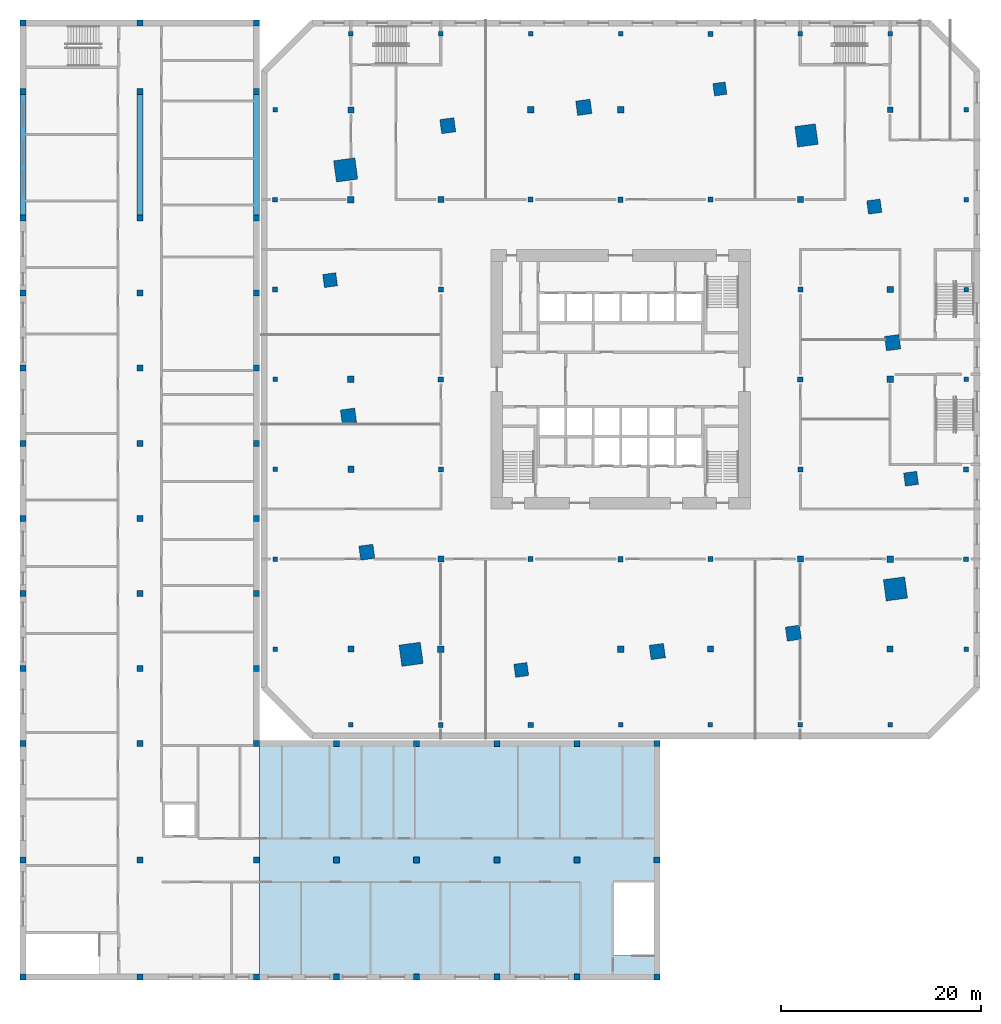
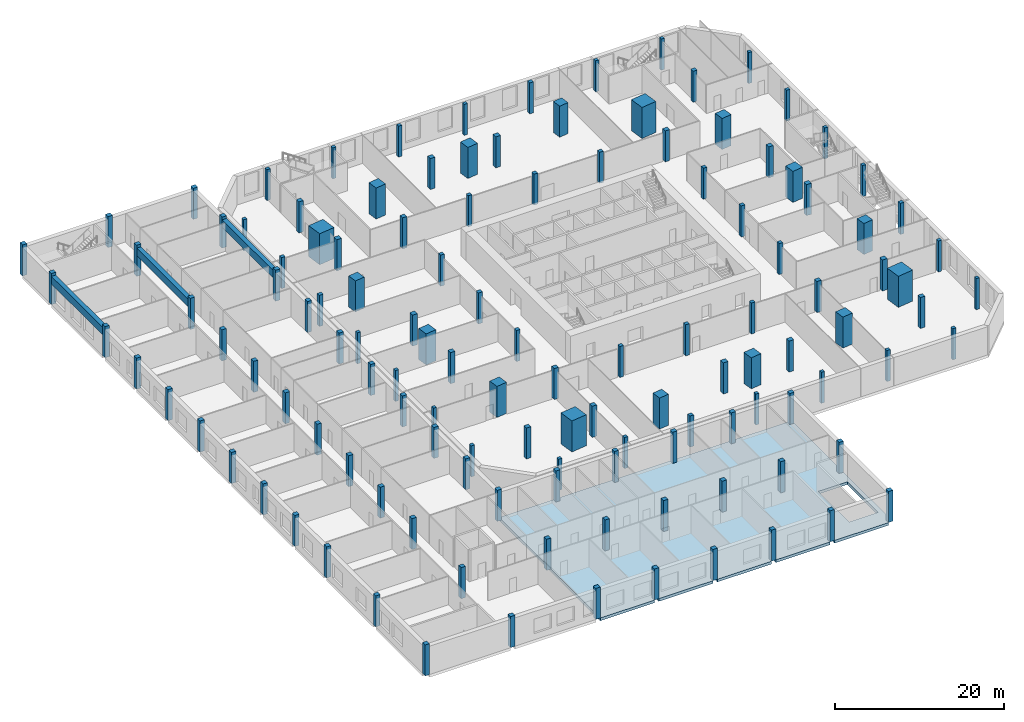
# One storey, part 1 of 18: 126 columns, 3 beams, 1 slab.
"""IFC4 building model written with IfcOpenShell, lengths in metres."""

import ifcopenshell
import ifcopenshell.guid

model = None  # the IFC model being written
_history = None  # IfcOwnerHistory: only IFC2X3 demands one
_inside = {}  # id of a spatial element -> (the spatial element, [elements in it])
_under = {}  # id of a project, library or spatial element -> (it, [spatial elements below it])
_declared = {}  # id of a project -> (the project, [libraries it declares])
_typed = {}  # id of a type object -> (the type object, [elements of that type])
_made_of = {}  # id of a material, layer set ... -> (it, [elements and type objects made of it])


def new_model(schema):
    """Start an empty IFC model of exactly this schema.

    Asked for "IFC4X3", IfcOpenShell would pick the latest addendum, in which some entities
    have other attributes; the version numbers below select the first issue.
    IFC2X3 requires an IfcOwnerHistory on every rooted entity: one is made here for all.
    """
    global model, _history
    if schema == "IFC4X3":
        model = ifcopenshell.file(schema_version=(4, 3, 0, 0))
    else:
        model = ifcopenshell.file(schema=schema)
    _inside.clear()
    _under.clear()
    _declared.clear()
    _typed.clear()
    _made_of.clear()
    _history = None
    if model.schema == "IFC2X3":
        org = make("IfcOrganization", Name="unknown")
        user = make(
            "IfcPersonAndOrganization",
            ThePerson=make("IfcPerson", FamilyName="unknown"),
            TheOrganization=org,
        )
        app = make(
            "IfcApplication",
            ApplicationDeveloper=org,
            Version="unknown",
            ApplicationFullName="unknown",
            ApplicationIdentifier="unknown",
        )
        _history = make(
            "IfcOwnerHistory",
            OwningUser=user,
            OwningApplication=app,
            ChangeAction="ADDED",
            CreationDate=0,
        )
    return model


def make(cls, **values):
    """One entity of the class cls with the attributes given. An attribute that is None is left unset."""
    return model.create_entity(
        cls, **{name: value for name, value in values.items() if value is not None}
    )


def rooted(cls, **values):
    """An entity with a GlobalId (a new one), such as an element, a storey or a relation."""
    return make(cls, GlobalId=ifcopenshell.guid.new(), OwnerHistory=_history, **values)


def si_unit(unit_type, name, prefix=None):
    """IfcSIUnit, for example si_unit("LENGTHUNIT", "METRE", prefix="MILLI")."""
    return make("IfcSIUnit", UnitType=unit_type, Prefix=prefix, Name=name)


def assignment(units):
    """IfcUnitAssignment: the units of a project."""
    return None if units is None else make("IfcUnitAssignment", Units=units)


def point(xyz):
    """IfcCartesianPoint."""
    return None if xyz is None else make("IfcCartesianPoint", Coordinates=xyz)


def direction(xyz):
    """IfcDirection."""
    return None if xyz is None else make("IfcDirection", DirectionRatios=xyz)


def frame(location, z_axis=None, x_axis=None):
    """IfcAxis2Placement3D, a coordinate frame: its origin and axes. An axis left out is left unset."""
    return make(
        "IfcAxis2Placement3D",
        Location=point(location),
        Axis=direction(z_axis),
        RefDirection=direction(x_axis),
    )


def frame_2d(location, x_axis=None):
    """IfcAxis2Placement2D, a coordinate frame in the plane: its origin and x axis."""
    return make(
        "IfcAxis2Placement2D", Location=point(location), RefDirection=direction(x_axis)
    )


def origin():
    """The frame at (0, 0, 0) with its axes left unset."""
    return frame((0.0, 0.0, 0.0))


def origin_2d():
    """The frame at (0, 0) in the plane with its x axis left unset."""
    return frame_2d((0.0, 0.0))


def place(relative_to, where):
    """IfcLocalPlacement: puts the frame where relative to a parent placement (None: the world)."""
    return make(
        "IfcLocalPlacement", PlacementRelTo=relative_to, RelativePlacement=where
    )


def context(
    kind, dimensions, precision=None, world=None, true_north=None, identifier=None
):
    """IfcGeometricRepresentationContext, for example the 3D "Model" context."""
    return make(
        "IfcGeometricRepresentationContext",
        ContextIdentifier=identifier,
        ContextType=kind,
        CoordinateSpaceDimension=dimensions,
        Precision=precision,
        WorldCoordinateSystem=world,
        TrueNorth=true_north,
    )


def subcontext(parent, identifier, kind, view, scale=None):
    """IfcGeometricRepresentationSubContext, for example "Body" below "Model"."""
    return make(
        "IfcGeometricRepresentationSubContext",
        ContextIdentifier=identifier,
        ContextType=kind,
        ParentContext=parent,
        TargetScale=scale,
        TargetView=view,
    )


def project(units=None, contexts=None):
    """IfcProject with its units and contexts."""
    return rooted(
        "IfcProject",
        Name="project",
        RepresentationContexts=contexts,
        UnitsInContext=assignment(units),
    )


def spatial(cls, under=None, at=None, **own):
    """A site, building, storey or space (cls), placed at a placement, below another one or the project."""
    s = rooted(cls, ObjectPlacement=at, **own)
    if under is not None:
        _under.setdefault(under.id(), (under, []))[1].append(s)
    return s


def polyline(points):
    """IfcPolyline through the points."""
    return make("IfcPolyline", Points=[point(p) for p in points])


def profile(cls, at=None, kind="AREA", **sizes):
    """A parametric profile (cls). Its sizes go by their IFC names, for example OverallWidth=200.0."""
    return make(cls, ProfileType=kind, Position=at, **sizes)


def rectangle(**sizes):
    """IfcRectangleProfileDef."""
    return profile("IfcRectangleProfileDef", **sizes)


def outline(outer, holes=None, kind="AREA"):
    """IfcArbitraryClosedProfileDef: a profile drawn as a closed curve; with holes, ...WithVoids."""
    if holes is None:
        return make("IfcArbitraryClosedProfileDef", ProfileType=kind, OuterCurve=outer)
    return make(
        "IfcArbitraryProfileDefWithVoids",
        ProfileType=kind,
        OuterCurve=outer,
        InnerCurves=holes,
    )


def extrude(swept, where, along, depth):
    """IfcExtrudedAreaSolid: the profile swept, set in the frame where, extruded along a direction by depth."""
    return make(
        "IfcExtrudedAreaSolid",
        SweptArea=swept,
        Position=where,
        ExtrudedDirection=direction(along),
        Depth=depth,
    )


def shape(context_of_items, identifier, shape_type, items):
    """IfcShapeRepresentation: the items that make up one representation, for example the "Body"."""
    return make(
        "IfcShapeRepresentation",
        ContextOfItems=context_of_items,
        RepresentationIdentifier=identifier,
        RepresentationType=shape_type,
        Items=items,
    )


def material(Name=None, Category=None):
    """IfcMaterial."""
    return make("IfcMaterial", Name=Name, Category=Category)


def layer(
    of_material, thickness, ventilated=None, Name=None, Category=None, Priority=None
):
    """IfcMaterialLayer: one layer of a wall or slab, of a material (None: an air gap)."""
    return make(
        "IfcMaterialLayer",
        Material=of_material,
        LayerThickness=thickness,
        IsVentilated=ventilated,
        Name=Name,
        Category=Category,
        Priority=Priority,
    )


def layer_set(layers, Name=None):
    """IfcMaterialLayerSet."""
    return make("IfcMaterialLayerSet", MaterialLayers=layers, LayerSetName=Name)


def material_profile(
    of_material, cross_section, Name=None, Category=None, Priority=None
):
    """IfcMaterialProfile: a cross section and its material."""
    return make(
        "IfcMaterialProfile",
        Name=Name,
        Material=of_material,
        Profile=cross_section,
        Priority=Priority,
        Category=Category,
    )


def profile_set(profiles, Name=None, composite=None):
    """IfcMaterialProfileSet."""
    return make(
        "IfcMaterialProfileSet",
        Name=Name,
        MaterialProfiles=profiles,
        CompositeProfile=composite,
    )


def made_of(thing, what):
    """Note that an element or type object is made of a material, layer set ...; save() writes the relation."""
    if what is not None:
        _made_of.setdefault(what.id(), (what, []))[1].append(thing)
    return thing


def type_object(cls, material=None, **own):
    """A type object (cls), such as IfcWallType, which elements share."""
    return made_of(rooted(cls, **own), material)


def element(
    cls,
    number,
    at=None,
    inside=None,
    cuts=None,
    type_object=None,
    material=None,
    context=None,
    identifier="Body",
    shape_type=None,
    held_by="IfcProductDefinitionShape",
    body=None,
    shapes=None,
    **own,
):
    """One element of the class cls, such as IfcWall. Its Tag is "e" and its number.

    at: its placement. inside: the storey or other place that contains it. cuts: it is an
    opening in that element (IfcRelVoidsElement). A single representation is given by context,
    identifier, shape_type and body (its items); several are given by shapes. held_by: the class
    of the entity that holds the representations. save() writes the other relations.
    """
    e = rooted(cls, Tag="e%d" % number, ObjectPlacement=at, **own)
    if body is not None:
        shapes = [shape(context, identifier, shape_type, body)]
    if shapes is not None:
        e.Representation = make(held_by, Representations=shapes)
    if inside is not None:
        _inside.setdefault(inside.id(), (inside, []))[1].append(e)
    if cuts is not None:
        rooted(
            "IfcRelVoidsElement", RelatingBuildingElement=cuts, RelatedOpeningElement=e
        )
    if type_object is not None:
        _typed.setdefault(type_object.id(), (type_object, []))[1].append(e)
    return made_of(e, material)


def aggregate(whole, parts):
    """IfcRelAggregates: a whole, such as a stair, and the parts it consists of."""
    return rooted("IfcRelAggregates", RelatingObject=whole, RelatedObjects=parts)


def save(model, path):
    """Write the relations noted so far, then the file.

    IfcRelAggregates (storeys below a building ...), IfcRelContainedInSpatialStructure (elements
    in a storey), IfcRelDefinesByType, IfcRelAssociatesMaterial and IfcRelDeclares: one each for
    every whole, place, type object, material and project.
    """
    for whole, parts in _under.values():
        aggregate(whole, parts)
    for where, things in _inside.values():
        rooted(
            "IfcRelContainedInSpatialStructure",
            RelatedElements=things,
            RelatingStructure=where,
        )
    for kind, things in _typed.values():
        rooted("IfcRelDefinesByType", RelatedObjects=things, RelatingType=kind)
    for what, things in _made_of.values():
        rooted("IfcRelAssociatesMaterial", RelatedObjects=things, RelatingMaterial=what)
    for by, libraries in _declared.values():
        rooted("IfcRelDeclares", RelatingContext=by, RelatedDefinitions=libraries)
    model.write(path)


model = new_model("IFC4")

# Units and contexts
model_context = context("Model", 3, precision=1e-05, world=origin(), true_north=direction((0.0, 1.0)))
body_context = subcontext(model_context, "Body", "Model", "MODEL_VIEW")
ifc_project = project(units=[si_unit("LENGTHUNIT", "METRE"), si_unit("AREAUNIT", "SQUARE_METRE"), si_unit("VOLUMEUNIT", "CUBIC_METRE"), si_unit("PLANEANGLEUNIT", "RADIAN"), si_unit("MASSUNIT", "GRAM", prefix="KILO")], contexts=[model_context])

# Site, building, storey
site_placement = place(None, origin())
site = spatial("IfcSite", under=ifc_project, at=site_placement, CompositionType="ELEMENT")
building_placement = place(site_placement, origin())
building = spatial("IfcBuilding", under=site, at=building_placement, Name="Dilmun Exchange Tower", CompositionType="ELEMENT")
storey_placement = place(building_placement, frame((0.0, 0.0, 13.5)))
storey = spatial("IfcBuildingStorey", under=building, at=storey_placement, Name="L03", CompositionType="ELEMENT", Elevation=13.5)

# Columns
ifc_material_1 = material(Name="Concrete C80/95", Category="concrete")
ifc_material_profile_1 = material_profile(ifc_material_1, rectangle(XDim=2.074951171875, YDim=2.074951171875, at=origin_2d()), Name="2075 x 2075")
ifc_profile_set_1 = profile_set([ifc_material_profile_1], Name="Concrete C80/95")
column_type_1 = type_object("IfcColumnType", Name="RC mega column 2075 x 2075 C80/95", PredefinedType="COLUMN", material=ifc_profile_set_1)
column_1_placement = place(storey_placement, frame((18.6220703125, 24.43701171875, 0.0), z_axis=(0.0, 0.0, 1.0), x_axis=(0.991001197216, 0.133853005627, 0.0)))
element("IfcColumn", 1, at=column_1_placement, inside=storey, type_object=column_type_1, Name="Mega column M1", PredefinedType="COLUMN", context=body_context, shape_type="SweptSolid", body=[
    extrude(rectangle(XDim=2.074951171875, YDim=2.074951171875, at=origin_2d()), origin(), (0.0, 0.0, 1.0), 4.5),
])
ifc_material_profile_2 = material_profile(ifc_material_1, rectangle(XDim=2.14990234375, YDim=2.14990234375, at=origin_2d()), Name="2150 x 2150")
ifc_profile_set_2 = profile_set([ifc_material_profile_2], Name="Concrete C80/95")
column_type_2 = type_object("IfcColumnType", Name="RC mega column 2150 x 2150 C80/95", PredefinedType="COLUMN", material=ifc_profile_set_2)
for number, where, z_axis, x_axis, name in (
    (2, (-27.531005859375, 20.97900390625, 0.0), (0.0, 0.0, 1.0), (0.991001197216, 0.133853005627, 0.0), "Mega column M2"),
    (3, (-20.97900390625, -27.531005859375, 0.0), (0.0, 0.0, 1.0), (0.991001197216, 0.133853005627, 0.0), "Mega column M3"),
    (4, (27.531005859375, -20.97900390625, 0.0), (0.0, 0.0, 1.0), (0.991001197216, 0.133853005627, 0.0), "Mega column M4"),
):
    element("IfcColumn", number, at=place(storey_placement, frame(where, z_axis=z_axis, x_axis=x_axis)), inside=storey, type_object=column_type_2, Name=name, PredefinedType="COLUMN", context=body_context, shape_type="SweptSolid", body=[
        extrude(rectangle(XDim=2.14990234375, YDim=2.14990234375, at=origin_2d()), origin(), (0.0, 0.0, 1.0), 4.5),
    ])
ifc_material_2 = material(Name="Concrete C60/75", Category="concrete")
ifc_material_profile_3 = material_profile(ifc_material_2, rectangle(XDim=0.449951171875, YDim=0.449951171875, at=origin_2d()), Name="450 x 450")
ifc_profile_set_3 = profile_set([ifc_material_profile_3], Name="Concrete C60/75")
column_type_3 = type_object("IfcColumnType", Name="RC podium column 450 x 450 C60/75", PredefinedType="COLUMN", material=ifc_profile_set_3)
for number, where, z_axis, x_axis, name in (
    (5, (-34.60009765625, -27.0, 0.0), (0.0, 0.0, 1.0), (1.0, 0.0, 0.0), "Podium column 5F"),
    (6, (-34.60009765625, -18.0, 0.0), (0.0, 0.0, 1.0), (1.0, 0.0, 0.0), "Podium column 5G"),
    (7, (-34.60009765625, -9.0, 0.0), (0.0, 0.0, 1.0), (1.0, 0.0, 0.0), "Podium column 5H"),
    (8, (-34.60009765625, 0.0, 0.0), (0.0, 0.0, 1.0), (1.0, 0.0, 0.0), "Podium column 5J"),
    (9, (-34.60009765625, 27.0, 0.0), (0.0, 0.0, 1.0), (1.0, 0.0, 0.0), "Podium column 5M"),
    (10, (-27.0, -34.60009765625, 0.0), (0.0, 0.0, 1.0), (1.0, 0.0, 0.0), "Podium column 6E"),
    (11, (-27.0, 34.60009765625, 0.0), (0.0, 0.0, 1.0), (1.0, 0.0, 0.0), "Podium column 6N"),
    (12, (-18.0, 34.60009765625, 0.0), (0.0, 0.0, 1.0), (1.0, 0.0, 0.0), "Podium column 7N"),
    (13, (-9.0, 34.60009765625, 0.0), (0.0, 0.0, 1.0), (1.0, 0.0, 0.0), "Podium column 8N"),
    (14, (0.0, -34.60009765625, 0.0), (0.0, 0.0, 1.0), (1.0, 0.0, 0.0), "Podium column 9E"),
    (15, (0.0, 34.60009765625, 0.0), (0.0, 0.0, 1.0), (1.0, 0.0, 0.0), "Podium column 9N"),
    (16, (9.0, -34.60009765625, 0.0), (0.0, 0.0, 1.0), (1.0, 0.0, 0.0), "Podium column 10E"),
    (17, (18.0, -34.60009765625, 0.0), (0.0, 0.0, 1.0), (1.0, 0.0, 0.0), "Podium column 11E"),
    (18, (18.0, 34.60009765625, 0.0), (0.0, 0.0, 1.0), (1.0, 0.0, 0.0), "Podium column 11N"),
    (19, (27.0, -34.60009765625, 0.0), (0.0, 0.0, 1.0), (1.0, 0.0, 0.0), "Podium column 12E"),
    (20, (27.0, 34.60009765625, 0.0), (0.0, 0.0, 1.0), (1.0, 0.0, 0.0), "Podium column 12N"),
    (21, (34.60009765625, -27.0, 0.0), (0.0, 0.0, 1.0), (1.0, 0.0, 0.0), "Podium column 13F"),
    (22, (34.60009765625, 0.0, 0.0), (0.0, 0.0, 1.0), (1.0, 0.0, 0.0), "Podium column 13J"),
    (23, (34.60009765625, 9.0, 0.0), (0.0, 0.0, 1.0), (1.0, 0.0, 0.0), "Podium column 13K"),
    (24, (34.60009765625, 18.0, 0.0), (0.0, 0.0, 1.0), (1.0, 0.0, 0.0), "Podium column 13L"),
    (25, (34.60009765625, 27.0, 0.0), (0.0, 0.0, 1.0), (1.0, 0.0, 0.0), "Podium column 13M"),
):
    element("IfcColumn", number, at=place(storey_placement, frame(where, z_axis=z_axis, x_axis=x_axis)), inside=storey, type_object=column_type_3, Name=name, PredefinedType="COLUMN", context=body_context, shape_type="SweptSolid", body=[
        extrude(rectangle(XDim=0.449951171875, YDim=0.449951171875, at=origin_2d()), origin(), (0.0, 0.0, 1.0), 4.5),
    ])
ifc_material_profile_4 = material_profile(ifc_material_2, rectangle(XDim=0.47509765625, YDim=0.47509765625, at=origin_2d()), Name="475 x 475")
ifc_profile_set_4 = profile_set([ifc_material_profile_4], Name="Concrete C60/75")
column_type_4 = type_object("IfcColumnType", Name="RC podium column 475 x 475 C60/75", PredefinedType="COLUMN", material=ifc_profile_set_4)
for number, where, z_axis, x_axis, name in (
    (26, (-34.60009765625, 18.0, 0.0), (0.0, 0.0, 1.0), (1.0, 0.0, 0.0), "Podium column 5L"),
    (27, (-18.0, -34.60009765625, 0.0), (0.0, 0.0, 1.0), (1.0, 0.0, 0.0), "Podium column 7E"),
    (28, (34.60009765625, -18.0, 0.0), (0.0, 0.0, 1.0), (1.0, 0.0, 0.0), "Podium column 13G"),
):
    element("IfcColumn", number, at=place(storey_placement, frame(where, z_axis=z_axis, x_axis=x_axis)), inside=storey, type_object=column_type_4, Name=name, PredefinedType="COLUMN", context=body_context, shape_type="SweptSolid", body=[
        extrude(rectangle(XDim=0.47509765625, YDim=0.47509765625, at=origin_2d()), origin(), (0.0, 0.0, 1.0), 4.5),
    ])
ifc_material_profile_5 = material_profile(ifc_material_2, rectangle(XDim=0.5, YDim=0.5, at=origin_2d()), Name="500 x 500")
ifc_profile_set_5 = profile_set([ifc_material_profile_5], Name="Concrete C60/75")
column_type_5 = type_object("IfcColumnType", Name="RC podium column 500 x 500 C60/75", PredefinedType="COLUMN", material=ifc_profile_set_5)
for number, where, z_axis, x_axis, name in (
    (29, (-18.0, -9.0, 0.0), (0.0, 0.0, 1.0), (1.0, 0.0, 0.0), "Podium column 7H"),
    (30, (-18.0, 9.0, 0.0), (0.0, 0.0, 1.0), (1.0, 0.0, 0.0), "Podium column 7K"),
    (31, (-9.0, -18.0, 0.0), (0.0, 0.0, 1.0), (1.0, 0.0, 0.0), "Podium column 8G"),
    (32, (-9.0, 18.0, 0.0), (0.0, 0.0, 1.0), (1.0, 0.0, 0.0), "Podium column 8L"),
    (33, (9.0, -18.0, 0.0), (0.0, 0.0, 1.0), (1.0, 0.0, 0.0), "Podium column 10G"),
    (34, (9.0, 18.0, 0.0), (0.0, 0.0, 1.0), (1.0, 0.0, 0.0), "Podium column 10L"),
    (35, (18.0, -9.0, 0.0), (0.0, 0.0, 1.0), (1.0, 0.0, 0.0), "Podium column 11H"),
    (36, (18.0, 9.0, 0.0), (0.0, 0.0, 1.0), (1.0, 0.0, 0.0), "Podium column 11K"),
    (37, (34.60009765625, -9.0, 0.0), (0.0, 0.0, 1.0), (1.0, 0.0, 0.0), "Podium column 13H"),
):
    element("IfcColumn", number, at=place(storey_placement, frame(where, z_axis=z_axis, x_axis=x_axis)), inside=storey, type_object=column_type_5, Name=name, PredefinedType="COLUMN", context=body_context, shape_type="SweptSolid", body=[
        extrude(rectangle(XDim=0.5, YDim=0.5, at=origin_2d()), origin(), (0.0, 0.0, 1.0), 4.5),
    ])
ifc_material_profile_6 = material_profile(ifc_material_2, rectangle(XDim=0.52490234375, YDim=0.52490234375, at=origin_2d()), Name="525 x 525")
ifc_profile_set_6 = profile_set([ifc_material_profile_6], Name="Concrete C60/75")
column_type_6 = type_object("IfcColumnType", Name="RC podium column 525 x 525 C60/75", PredefinedType="COLUMN", material=ifc_profile_set_6)
for number, where, z_axis, x_axis, name in (
    (38, (-34.60009765625, 9.0, 0.0), (0.0, 0.0, 1.0), (1.0, 0.0, 0.0), "Podium column 5K"),
    (39, (-18.0, 0.0, 0.0), (0.0, 0.0, 1.0), (1.0, 0.0, 0.0), "Podium column 7J"),
    (40, (-9.0, -34.60009765625, 0.0), (0.0, 0.0, 1.0), (1.0, 0.0, 0.0), "Podium column 8E"),
    (41, (0.0, -18.0, 0.0), (0.0, 0.0, 1.0), (1.0, 0.0, 0.0), "Podium column 9G"),
    (42, (0.0, 18.0, 0.0), (0.0, 0.0, 1.0), (1.0, 0.0, 0.0), "Podium column 9L"),
    (43, (9.0, 34.60009765625, 0.0), (0.0, 0.0, 1.0), (1.0, 0.0, 0.0), "Podium column 10N"),
    (44, (18.0, 0.0, 0.0), (0.0, 0.0, 1.0), (1.0, 0.0, 0.0), "Podium column 11J"),
):
    element("IfcColumn", number, at=place(storey_placement, frame(where, z_axis=z_axis, x_axis=x_axis)), inside=storey, type_object=column_type_6, Name=name, PredefinedType="COLUMN", context=body_context, shape_type="SweptSolid", body=[
        extrude(rectangle(XDim=0.52490234375, YDim=0.52490234375, at=origin_2d()), origin(), (0.0, 0.0, 1.0), 4.5),
    ])
ifc_material_profile_7 = material_profile(ifc_material_2, rectangle(XDim=0.550048828125, YDim=0.550048828125, at=origin_2d()), Name="550 x 550")
ifc_profile_set_7 = profile_set([ifc_material_profile_7], Name="Concrete C60/75")
column_type_7 = type_object("IfcColumnType", Name="RC podium column 550 x 550 C60/75", PredefinedType="COLUMN", material=ifc_profile_set_7)
column_2_placement = place(storey_placement, frame((27.0, 27.0, 0.0), z_axis=(0.0, 0.0, 1.0), x_axis=(1.0, 0.0, 0.0)))
element("IfcColumn", 45, at=column_2_placement, inside=storey, type_object=column_type_7, Name="Podium column 12M", PredefinedType="COLUMN", context=body_context, shape_type="SweptSolid", body=[
    extrude(rectangle(XDim=0.550048828125, YDim=0.550048828125, at=origin_2d()), origin(), (0.0, 0.0, 1.0), 4.5),
])
ifc_material_profile_8 = material_profile(ifc_material_2, rectangle(XDim=0.60009765625, YDim=0.60009765625, at=origin_2d()), Name="600 x 600")
ifc_profile_set_8 = profile_set([ifc_material_profile_8], Name="Concrete C60/75")
column_type_8 = type_object("IfcColumnType", Name="RC podium column 600 x 600 C60/75", PredefinedType="COLUMN", material=ifc_profile_set_8)
for number, where, z_axis, x_axis, name in (
    (46, (-27.0, -27.0, 0.0), (0.0, 0.0, 1.0), (1.0, 0.0, 0.0), "Podium column 6F"),
    (47, (-27.0, 27.0, 0.0), (0.0, 0.0, 1.0), (1.0, 0.0, 0.0), "Podium column 6M"),
    (48, (-18.0, -18.0, 0.0), (0.0, 0.0, 1.0), (1.0, 0.0, 0.0), "Podium column 7G"),
    (49, (-18.0, 18.0, 0.0), (0.0, 0.0, 1.0), (1.0, 0.0, 0.0), "Podium column 7L"),
    (50, (18.0, -18.0, 0.0), (0.0, 0.0, 1.0), (1.0, 0.0, 0.0), "Podium column 11G"),
    (51, (18.0, 18.0, 0.0), (0.0, 0.0, 1.0), (1.0, 0.0, 0.0), "Podium column 11L"),
    (52, (27.0, -27.0, 0.0), (0.0, 0.0, 1.0), (1.0, 0.0, 0.0), "Podium column 12F"),
):
    element("IfcColumn", number, at=place(storey_placement, frame(where, z_axis=z_axis, x_axis=x_axis)), inside=storey, type_object=column_type_8, Name=name, PredefinedType="COLUMN", context=body_context, shape_type="SweptSolid", body=[
        extrude(rectangle(XDim=0.60009765625, YDim=0.60009765625, at=origin_2d()), origin(), (0.0, 0.0, 1.0), 4.5),
    ])
ifc_material_profile_9 = material_profile(ifc_material_2, rectangle(XDim=0.625, YDim=0.625, at=origin_2d()), Name="625 x 625")
ifc_profile_set_9 = profile_set([ifc_material_profile_9], Name="Concrete C60/75")
column_type_9 = type_object("IfcColumnType", Name="RC podium column 625 x 625 C60/75", PredefinedType="COLUMN", material=ifc_profile_set_9)
for number, where, z_axis, x_axis, name in (
    (53, (-27.0, -9.0, 0.0), (0.0, 0.0, 1.0), (1.0, 0.0, 0.0), "Podium column 6H"),
    (54, (-9.0, 27.0, 0.0), (0.0, 0.0, 1.0), (1.0, 0.0, 0.0), "Podium column 8M"),
    (55, (9.0, -27.0, 0.0), (0.0, 0.0, 1.0), (1.0, 0.0, 0.0), "Podium column 10F"),
    (56, (27.0, 9.0, 0.0), (0.0, 0.0, 1.0), (1.0, 0.0, 0.0), "Podium column 12K"),
):
    element("IfcColumn", number, at=place(storey_placement, frame(where, z_axis=z_axis, x_axis=x_axis)), inside=storey, type_object=column_type_9, Name=name, PredefinedType="COLUMN", context=body_context, shape_type="SweptSolid", body=[
        extrude(rectangle(XDim=0.625, YDim=0.625, at=origin_2d()), origin(), (0.0, 0.0, 1.0), 4.5),
    ])
ifc_material_profile_10 = material_profile(ifc_material_2, rectangle(XDim=0.64990234375, YDim=0.64990234375, at=origin_2d()), Name="650 x 650")
ifc_profile_set_10 = profile_set([ifc_material_profile_10], Name="Concrete C60/75")
column_type_10 = type_object("IfcColumnType", Name="RC podium column 650 x 650 C60/75", PredefinedType="COLUMN", material=ifc_profile_set_10)
for number, where, z_axis, x_axis, name in (
    (57, (-27.0, 0.0, 0.0), (0.0, 0.0, 1.0), (1.0, 0.0, 0.0), "Podium column 6J"),
    (58, (-27.0, 18.0, 0.0), (0.0, 0.0, 1.0), (1.0, 0.0, 0.0), "Podium column 6L"),
    (59, (-18.0, -27.0, 0.0), (0.0, 0.0, 1.0), (1.0, 0.0, 0.0), "Podium column 7F"),
    (60, (0.0, -27.0, 0.0), (0.0, 0.0, 1.0), (1.0, 0.0, 0.0), "Podium column 9F"),
    (61, (0.0, 27.0, 0.0), (0.0, 0.0, 1.0), (1.0, 0.0, 0.0), "Podium column 9M"),
    (62, (27.0, -18.0, 0.0), (0.0, 0.0, 1.0), (1.0, 0.0, 0.0), "Podium column 12G"),
    (63, (27.0, 0.0, 0.0), (0.0, 0.0, 1.0), (1.0, 0.0, 0.0), "Podium column 12J"),
):
    element("IfcColumn", number, at=place(storey_placement, frame(where, z_axis=z_axis, x_axis=x_axis)), inside=storey, type_object=column_type_10, Name=name, PredefinedType="COLUMN", context=body_context, shape_type="SweptSolid", body=[
        extrude(rectangle(XDim=0.64990234375, YDim=0.64990234375, at=origin_2d()), origin(), (0.0, 0.0, 1.0), 4.5),
    ])
ifc_material_profile_11 = material_profile(ifc_material_1, rectangle(XDim=1.25, YDim=1.25, at=origin_2d()), Name="1250 x 1250")
ifc_profile_set_11 = profile_set([ifc_material_profile_11], Name="Concrete C80/95")
column_type_11 = type_object("IfcColumnType", Name="RC ring column 1250 x 1250 C80/95", PredefinedType="COLUMN", material=ifc_profile_set_11)
column_3_placement = place(storey_placement, frame((9.945068359375, 29.093017578125, 0.0), z_axis=(0.0, 0.0, 1.0), x_axis=(0.991001197216, 0.133853005627, 0.0)))
element("IfcColumn", 64, at=column_3_placement, inside=storey, type_object=column_type_11, Name="Ring column R01", PredefinedType="COLUMN", context=body_context, shape_type="SweptSolid", body=[
    extrude(rectangle(XDim=1.25, YDim=1.25, at=origin_2d()), origin(), (0.0, 0.0, 1.0), 4.5),
])
ifc_material_profile_12 = material_profile(ifc_material_1, rectangle(XDim=1.324951171875, YDim=1.324951171875, at=origin_2d()), Name="1325 x 1325")
ifc_profile_set_12 = profile_set([ifc_material_profile_12], Name="Concrete C80/95")
column_type_12 = type_object("IfcColumnType", Name="RC ring column 1325 x 1325 C80/95", PredefinedType="COLUMN", material=ifc_profile_set_12)
for number, where, z_axis, x_axis, name in (
    (65, (-29.093017578125, 9.945068359375, 0.0), (0.0, 0.0, 1.0), (0.991001197216, 0.133853005627, 0.0), "Ring column R04"),
    (66, (-9.945068359375, -29.093017578125, 0.0), (0.0, 0.0, 1.0), (0.991001197216, 0.133853005627, 0.0), "Ring column R07"),
    (67, (29.093017578125, -9.945068359375, 0.0), (0.0, 0.0, 1.0), (0.991001197216, 0.133853005627, 0.0), "Ring column R10"),
):
    element("IfcColumn", number, at=place(storey_placement, frame(where, z_axis=z_axis, x_axis=x_axis)), inside=storey, type_object=column_type_12, Name=name, PredefinedType="COLUMN", context=body_context, shape_type="SweptSolid", body=[
        extrude(rectangle(XDim=1.324951171875, YDim=1.324951171875, at=origin_2d()), origin(), (0.0, 0.0, 1.0), 4.5),
    ])
ifc_material_profile_13 = material_profile(ifc_material_1, rectangle(XDim=1.35009765625, YDim=1.35009765625, at=origin_2d()), Name="1350 x 1350")
ifc_profile_set_13 = profile_set([ifc_material_profile_13], Name="Concrete C80/95")
column_type_13 = type_object("IfcColumnType", Name="RC ring column 1350 x 1350 C80/95", PredefinedType="COLUMN", material=ifc_profile_set_13)
column_4_placement = place(storey_placement, frame((25.412109375, 17.306884765625, 0.0), z_axis=(0.0, 0.0, 1.0), x_axis=(0.991001197216, 0.133853005627, 0.0)))
element("IfcColumn", 68, at=column_4_placement, inside=storey, type_object=column_type_13, Name="Ring column R12", PredefinedType="COLUMN", context=body_context, shape_type="SweptSolid", body=[
    extrude(rectangle(XDim=1.35009765625, YDim=1.35009765625, at=origin_2d()), origin(), (0.0, 0.0, 1.0), 4.5),
])
ifc_material_profile_14 = material_profile(ifc_material_1, rectangle(XDim=1.425048828125, YDim=1.425048828125, at=origin_2d()), Name="1425 x 1425")
ifc_profile_set_14 = profile_set([ifc_material_profile_14], Name="Concrete C80/95")
column_type_14 = type_object("IfcColumnType", Name="RC ring column 1425 x 1425 C80/95", PredefinedType="COLUMN", material=ifc_profile_set_14)
for number, where, z_axis, x_axis, name in (
    (69, (-17.306884765625, 25.412109375, 0.0), (0.0, 0.0, 1.0), (0.991001197216, 0.133853005627, 0.0), "Ring column R03"),
    (70, (-25.412109375, -17.306884765625, 0.0), (0.0, 0.0, 1.0), (0.991001197216, 0.133853005627, 0.0), "Ring column R06"),
    (71, (17.306884765625, -25.412109375, 0.0), (0.0, 0.0, 1.0), (0.991001197216, 0.133853005627, 0.0), "Ring column R09"),
):
    element("IfcColumn", number, at=place(storey_placement, frame(where, z_axis=z_axis, x_axis=x_axis)), inside=storey, type_object=column_type_14, Name=name, PredefinedType="COLUMN", context=body_context, shape_type="SweptSolid", body=[
        extrude(rectangle(XDim=1.425048828125, YDim=1.425048828125, at=origin_2d()), origin(), (0.0, 0.0, 1.0), 4.5),
    ])
ifc_material_profile_15 = material_profile(ifc_material_1, rectangle(XDim=1.449951171875, YDim=1.449951171875, at=origin_2d()), Name="1450 x 1450")
ifc_profile_set_15 = profile_set([ifc_material_profile_15], Name="Concrete C80/95")
column_type_15 = type_object("IfcColumnType", Name="RC ring column 1450 x 1450 C80/95", PredefinedType="COLUMN", material=ifc_profile_set_15)
for number, where, z_axis, x_axis, name in (
    (72, (-3.680908203125, 27.2529296875, 0.0), (0.0, 0.0, 1.0), (0.991001197216, 0.133853005627, 0.0), "Ring column R02"),
    (73, (-27.2529296875, -3.680908203125, 0.0), (0.0, 0.0, 1.0), (0.991001197216, 0.133853005627, 0.0), "Ring column R05"),
    (74, (3.680908203125, -27.2529296875, 0.0), (0.0, 0.0, 1.0), (0.991001197216, 0.133853005627, 0.0), "Ring column R08"),
    (75, (27.2529296875, 3.680908203125, 0.0), (0.0, 0.0, 1.0), (0.991001197216, 0.133853005627, 0.0), "Ring column R11"),
):
    element("IfcColumn", number, at=place(storey_placement, frame(where, z_axis=z_axis, x_axis=x_axis)), inside=storey, type_object=column_type_15, Name=name, PredefinedType="COLUMN", context=body_context, shape_type="SweptSolid", body=[
        extrude(rectangle(XDim=1.449951171875, YDim=1.449951171875, at=origin_2d()), origin(), (0.0, 0.0, 1.0), 4.5),
    ])
ifc_material_3 = material(Name="Concrete C40/50", Category="concrete")
ifc_material_profile_16 = material_profile(ifc_material_3, rectangle(XDim=0.60009765625, YDim=0.60009765625, at=origin_2d()), Name="600 x 600")
ifc_profile_set_16 = profile_set([ifc_material_profile_16], Name="Concrete C40/50")
column_type_16 = type_object("IfcColumnType", Name="School column 600 x 600 C40/50", PredefinedType="COLUMN", material=ifc_profile_set_16)
for number, where, z_axis, x_axis, name in (
    (76, (-59.85009765625, -59.85009765625, 0.0), (0.0, 0.0, 1.0), (1.0, 0.0, 0.0), "School column X01Y01"),
    (77, (-59.85009765625, -48.14990234375, 0.0), (0.0, 0.0, 1.0), (1.0, 0.0, 0.0), "School column X01Y02"),
    (78, (-59.85009765625, -36.449951171875, 0.0), (0.0, 0.0, 1.0), (1.0, 0.0, 0.0), "School column X01Y03"),
    (79, (-59.85009765625, -28.93603515625, 0.0), (0.0, 0.0, 1.0), (1.0, 0.0, 0.0), "School column X01Y04"),
    (80, (-59.85009765625, -21.4208984375, 0.0), (0.0, 0.0, 1.0), (1.0, 0.0, 0.0), "School column X01Y05"),
    (81, (-59.85009765625, -13.906982421875, 0.0), (0.0, 0.0, 1.0), (1.0, 0.0, 0.0), "School column X01Y06"),
    (82, (-59.85009765625, -6.39306640625, 0.0), (0.0, 0.0, 1.0), (1.0, 0.0, 0.0), "School column X01Y07"),
    (83, (-59.85009765625, 1.12109375, 0.0), (0.0, 0.0, 1.0), (1.0, 0.0, 0.0), "School column X01Y08"),
    (84, (-59.85009765625, 8.635986328125, 0.0), (0.0, 0.0, 1.0), (1.0, 0.0, 0.0), "School column X01Y09"),
    (85, (-59.85009765625, 16.14990234375, 0.0), (0.0, 0.0, 1.0), (1.0, 0.0, 0.0), "School column X01Y10"),
    (86, (-59.85009765625, 28.85009765625, 0.0), (0.0, 0.0, 1.0), (1.0, 0.0, 0.0), "School column X01Y11"),
    (87, (-59.85009765625, 35.699951171875, 0.0), (0.0, 0.0, 1.0), (1.0, 0.0, 0.0), "School column X01Y12"),
    (88, (-48.14990234375, -59.85009765625, 0.0), (0.0, 0.0, 1.0), (1.0, 0.0, 0.0), "School column X02Y01"),
    (89, (-48.14990234375, -48.14990234375, 0.0), (0.0, 0.0, 1.0), (1.0, 0.0, 0.0), "School column X02Y02"),
    (90, (-48.14990234375, -36.449951171875, 0.0), (0.0, 0.0, 1.0), (1.0, 0.0, 0.0), "School column X02Y03"),
    (91, (-48.14990234375, -28.93603515625, 0.0), (0.0, 0.0, 1.0), (1.0, 0.0, 0.0), "School column X02Y04"),
    (92, (-48.14990234375, -21.4208984375, 0.0), (0.0, 0.0, 1.0), (1.0, 0.0, 0.0), "School column X02Y05"),
    (93, (-48.14990234375, -13.906982421875, 0.0), (0.0, 0.0, 1.0), (1.0, 0.0, 0.0), "School column X02Y06"),
    (94, (-48.14990234375, -6.39306640625, 0.0), (0.0, 0.0, 1.0), (1.0, 0.0, 0.0), "School column X02Y07"),
    (95, (-48.14990234375, 1.12109375, 0.0), (0.0, 0.0, 1.0), (1.0, 0.0, 0.0), "School column X02Y08"),
    (96, (-48.14990234375, 8.635986328125, 0.0), (0.0, 0.0, 1.0), (1.0, 0.0, 0.0), "School column X02Y09"),
    (97, (-48.14990234375, 16.14990234375, 0.0), (0.0, 0.0, 1.0), (1.0, 0.0, 0.0), "School column X02Y10"),
    (98, (-48.14990234375, 28.85009765625, 0.0), (0.0, 0.0, 1.0), (1.0, 0.0, 0.0), "School column X02Y11"),
    (99, (-48.14990234375, 35.699951171875, 0.0), (0.0, 0.0, 1.0), (1.0, 0.0, 0.0), "School column X02Y12"),
    (100, (-36.449951171875, -59.85009765625, 0.0), (0.0, 0.0, 1.0), (1.0, 0.0, 0.0), "School column X03Y01"),
    (101, (-36.449951171875, -48.14990234375, 0.0), (0.0, 0.0, 1.0), (1.0, 0.0, 0.0), "School column X03Y02"),
    (102, (-36.449951171875, -36.449951171875, 0.0), (0.0, 0.0, 1.0), (1.0, 0.0, 0.0), "School column X03Y03"),
    (103, (-36.449951171875, -28.93603515625, 0.0), (0.0, 0.0, 1.0), (1.0, 0.0, 0.0), "School column X03Y04"),
    (104, (-36.449951171875, -21.4208984375, 0.0), (0.0, 0.0, 1.0), (1.0, 0.0, 0.0), "School column X03Y05"),
    (105, (-36.449951171875, -13.906982421875, 0.0), (0.0, 0.0, 1.0), (1.0, 0.0, 0.0), "School column X03Y06"),
    (106, (-36.449951171875, -6.39306640625, 0.0), (0.0, 0.0, 1.0), (1.0, 0.0, 0.0), "School column X03Y07"),
    (107, (-36.449951171875, 1.12109375, 0.0), (0.0, 0.0, 1.0), (1.0, 0.0, 0.0), "School column X03Y08"),
    (108, (-36.449951171875, 8.635986328125, 0.0), (0.0, 0.0, 1.0), (1.0, 0.0, 0.0), "School column X03Y09"),
    (109, (-36.449951171875, 16.14990234375, 0.0), (0.0, 0.0, 1.0), (1.0, 0.0, 0.0), "School column X03Y10"),
    (110, (-36.449951171875, 28.85009765625, 0.0), (0.0, 0.0, 1.0), (1.0, 0.0, 0.0), "School column X03Y11"),
    (111, (-36.449951171875, 35.699951171875, 0.0), (0.0, 0.0, 1.0), (1.0, 0.0, 0.0), "School column X03Y12"),
    (112, (-28.43310546875, -59.85009765625, 0.0), (0.0, 0.0, 1.0), (1.0, 0.0, 0.0), "School column X04Y01"),
    (113, (-28.43310546875, -48.14990234375, 0.0), (0.0, 0.0, 1.0), (1.0, 0.0, 0.0), "School column X04Y02"),
    (114, (-28.43310546875, -36.449951171875, 0.0), (0.0, 0.0, 1.0), (1.0, 0.0, 0.0), "School column X04Y03"),
    (115, (-20.4169921875, -59.85009765625, 0.0), (0.0, 0.0, 1.0), (1.0, 0.0, 0.0), "School column X05Y01"),
    (116, (-20.4169921875, -48.14990234375, 0.0), (0.0, 0.0, 1.0), (1.0, 0.0, 0.0), "School column X05Y02"),
    (117, (-20.4169921875, -36.449951171875, 0.0), (0.0, 0.0, 1.0), (1.0, 0.0, 0.0), "School column X05Y03"),
    (118, (-12.39990234375, -59.85009765625, 0.0), (0.0, 0.0, 1.0), (1.0, 0.0, 0.0), "School column X06Y01"),
    (119, (-12.39990234375, -48.14990234375, 0.0), (0.0, 0.0, 1.0), (1.0, 0.0, 0.0), "School column X06Y02"),
    (120, (-12.39990234375, -36.449951171875, 0.0), (0.0, 0.0, 1.0), (1.0, 0.0, 0.0), "School column X06Y03"),
    (121, (-4.383056640625, -59.85009765625, 0.0), (0.0, 0.0, 1.0), (1.0, 0.0, 0.0), "School column X07Y01"),
    (122, (-4.383056640625, -48.14990234375, 0.0), (0.0, 0.0, 1.0), (1.0, 0.0, 0.0), "School column X07Y02"),
    (123, (-4.383056640625, -36.449951171875, 0.0), (0.0, 0.0, 1.0), (1.0, 0.0, 0.0), "School column X07Y03"),
    (124, (3.633056640625, -59.85009765625, 0.0), (0.0, 0.0, 1.0), (1.0, 0.0, 0.0), "School column X08Y01"),
    (125, (3.633056640625, -48.14990234375, 0.0), (0.0, 0.0, 1.0), (1.0, 0.0, 0.0), "School column X08Y02"),
    (126, (3.633056640625, -36.449951171875, 0.0), (0.0, 0.0, 1.0), (1.0, 0.0, 0.0), "School column X08Y03"),
):
    element("IfcColumn", number, at=place(storey_placement, frame(where, z_axis=z_axis, x_axis=x_axis)), inside=storey, type_object=column_type_16, Name=name, PredefinedType="COLUMN", context=body_context, shape_type="SweptSolid", body=[
        extrude(rectangle(XDim=0.60009765625, YDim=0.60009765625, at=origin_2d()), origin(), (0.0, 0.0, 1.0), 4.5),
    ])

# Beams
ifc_material_profile_17 = material_profile(ifc_material_3, rectangle(XDim=0.60009765625, YDim=1.10009765625, at=origin_2d()), Name="600 x 1100")
ifc_profile_set_17 = profile_set([ifc_material_profile_17], Name="Concrete C40/50")
beam_type = type_object("IfcBeamType", Name="School girder 600 x 1100", PredefinedType="BEAM", material=ifc_profile_set_17)
for number, where, z_axis, x_axis, name in (
    (127, (-59.85009765625, 16.449951171875, 3.550048828125), (0.0, 1.0, 0.0), (-1.0, 0.0, 0.0), "School girder over arcade"),
    (128, (-48.14990234375, 16.449951171875, 3.550048828125), (0.0, 1.0, 0.0), (-1.0, 0.0, 0.0), "School girder over arcade"),
    (129, (-36.449951171875, 16.449951171875, 3.550048828125), (0.0, 1.0, 0.0), (-1.0, 0.0, 0.0), "School girder over arcade"),
):
    element("IfcBeam", number, at=place(storey_placement, frame(where, z_axis=z_axis, x_axis=x_axis)), inside=storey, type_object=beam_type, Name=name, PredefinedType="BEAM", context=body_context, shape_type="SweptSolid", body=[
        extrude(rectangle(XDim=0.60009765625, YDim=1.10009765625, at=origin_2d()), origin(), (0.0, 0.0, 1.0), 12.10009765625),
    ])

# Slab
ifc_layer = layer(ifc_material_3, 0.39990234375)
ifc_layer_set = layer_set([ifc_layer], Name="Concrete C40/50")
slab_type = type_object("IfcSlabType", Name="School flat slab 400 PT", PredefinedType="FLOOR", material=ifc_layer_set)
slab_placement = place(storey_placement, frame((0.0, 0.0, -0.39990234375)))
element("IfcSlab", 130, at=slab_placement, inside=storey, type_object=slab_type, Name="School slab L03", PredefinedType="FLOOR", context=body_context, shape_type="SweptSolid", body=[
    extrude(outline(polyline([(3.3330078125, -36.75), (3.93310546875, -36.75), (3.93310546875, -47.85009765625), (3.3330078125, -47.85009765625), (3.3330078125, -48.449951171875), (3.93310546875, -48.449951171875), (3.93310546875, -59.550048828125), (3.3330078125, -59.550048828125), (3.3330078125, -60.14990234375), (-4.0830078125, -60.14990234375), (-4.0830078125, -59.550048828125), (-4.68310546875, -59.550048828125), (-4.68310546875, -60.14990234375), (-12.10009765625, -60.14990234375), (-12.10009765625, -59.550048828125), (-12.699951171875, -59.550048828125), (-12.699951171875, -60.14990234375), (-20.116943359375, -60.14990234375), (-20.116943359375, -59.550048828125), (-20.717041015625, -59.550048828125), (-20.717041015625, -60.14990234375), (-28.133056640625, -60.14990234375), (-28.133056640625, -59.550048828125), (-28.73291015625, -59.550048828125), (-28.73291015625, -60.14990234375), (-36.14990234375, -60.14990234375), (-36.14990234375, -36.14990234375), (-28.73291015625, -36.14990234375), (-28.73291015625, -36.75), (-28.133056640625, -36.75), (-28.133056640625, -36.14990234375), (-20.717041015625, -36.14990234375), (-20.717041015625, -36.75), (-20.116943359375, -36.75), (-20.116943359375, -36.14990234375), (-12.699951171875, -36.14990234375), (-12.699951171875, -36.75), (-12.10009765625, -36.75), (-12.10009765625, -36.14990234375), (-4.68310546875, -36.14990234375), (-4.68310546875, -36.75), (-4.0830078125, -36.75), (-4.0830078125, -36.14990234375), (3.3330078125, -36.14990234375), (3.3330078125, -36.75)]), holes=[polyline([(-28.73291015625, -47.85009765625), (-28.73291015625, -48.449951171875), (-28.133056640625, -48.449951171875), (-28.133056640625, -47.85009765625), (-28.73291015625, -47.85009765625)]), polyline([(-20.717041015625, -47.85009765625), (-20.717041015625, -48.449951171875), (-20.116943359375, -48.449951171875), (-20.116943359375, -47.85009765625), (-20.717041015625, -47.85009765625)]), polyline([(-12.699951171875, -47.85009765625), (-12.699951171875, -48.449951171875), (-12.10009765625, -48.449951171875), (-12.10009765625, -47.85009765625), (-12.699951171875, -47.85009765625)]), polyline([(-4.68310546875, -48.449951171875), (-4.0830078125, -48.449951171875), (-4.0830078125, -47.85009765625), (-4.68310546875, -47.85009765625), (-4.68310546875, -48.449951171875)]), polyline([(-0.64794921875, -57.7060546875), (3.333984375, -57.7060546875), (3.333984375, -50.39892578125), (-0.64794921875, -50.39892578125), (-0.64794921875, -57.7060546875)])]), origin(), (0.0, 0.0, 1.0), 0.39990234375),
])

save(model, "model.ifc")
